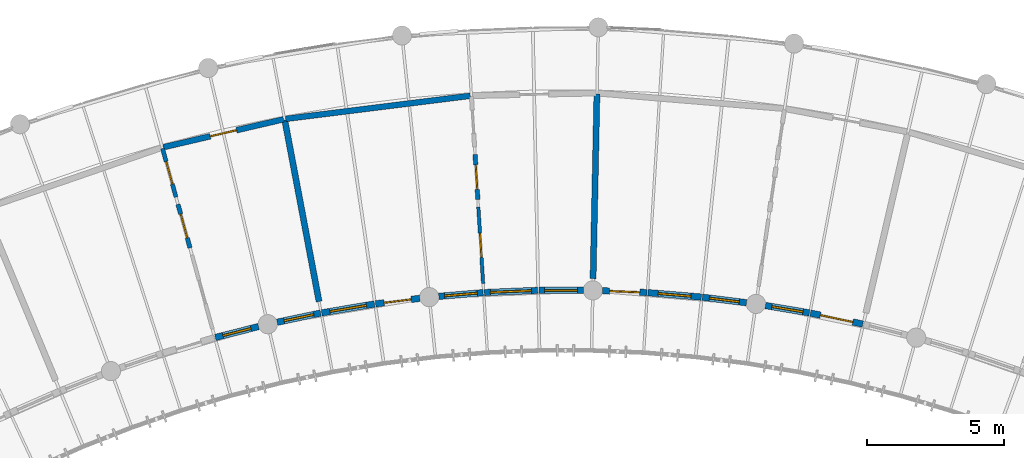
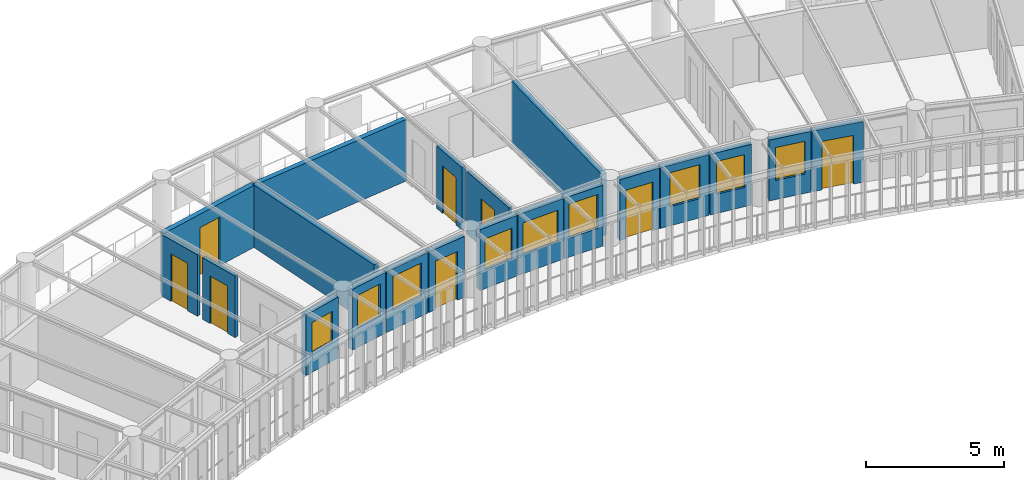
# One storey, part 93 of 123: 20 walls, 9 windows, 8 doors, 17 openings.
"""IFC4 building model written with IfcOpenShell, lengths in metres."""

from ifc_helpers import new_model, si_unit, direction, frame, frame_2d, origin, place, context, subcontext, project, spatial, rectangle, extrude, material, layer, layer_set, type_object, element, fill, save


model = new_model("IFC4")

# Units and contexts
model_context = context("Model", 3, precision=1e-05, world=origin(), true_north=direction((0.0, 1.0)))
body_context = subcontext(model_context, "Body", "Model", "MODEL_VIEW")
ifc_project = project(units=[si_unit("LENGTHUNIT", "METRE"), si_unit("AREAUNIT", "SQUARE_METRE"), si_unit("VOLUMEUNIT", "CUBIC_METRE"), si_unit("PLANEANGLEUNIT", "RADIAN"), si_unit("MASSUNIT", "GRAM", prefix="KILO"), si_unit("POWERUNIT", "WATT"), si_unit("THERMODYNAMICTEMPERATUREUNIT", "KELVIN")], contexts=[model_context])

# Site, building, storey
site_placement = place(None, origin())
site = spatial("IfcSite", under=ifc_project, at=site_placement, CompositionType="ELEMENT")
building_placement = place(site_placement, origin())
building = spatial("IfcBuilding", under=site, at=building_placement, Name="Ruvembo Vaulted Housing Court", CompositionType="ELEMENT")
storey_placement = place(building_placement, frame((0.0, 0.0, 7.699951171875)))
storey = spatial("IfcBuildingStorey", under=building, at=storey_placement, Name="L02", CompositionType="ELEMENT", Elevation=7.699951171875)

# Wall, opening, door
ifc_material_1 = material(Name="Concrete Blockwork 210", Category="masonry")
ifc_layer_1 = layer(ifc_material_1, 0.2099609375, Name="Concrete Blockwork 210")
ifc_layer_set_1 = layer_set([ifc_layer_1], Name="Concrete Blockwork 210")
wall_type_1 = type_object("IfcWallType", Name="WL-CORR-210", PredefinedType="SOLIDWALL", material=ifc_layer_set_1)
wall_1_placement = place(storey_placement, frame((102.324951171875, 103.2119140625, 0.0), z_axis=(0.0, 0.0, 1.0), x_axis=(0.974052809246, 0.226320844821, 0.0)))
wall_1 = element("IfcWall", 1, at=wall_1_placement, inside=storey, type_object=wall_type_1, Name="L02 Suite SC3-L02-U2 Entrance WL-INT-L02-00747", PredefinedType="SOLIDWALL", context=body_context, shape_type="SweptSolid", body=[
    extrude(rectangle(XDim=4.50146484375, YDim=0.2099609375, at=frame_2d((2.250732421875, 0.0))), origin(), (0.0, 0.0, 1.0), 2.741943359375),
])
opening_1_placement = place(wall_1_placement, frame((1.7607421875, 0.0, 0.0)))
opening_1 = element("IfcOpeningElement", 2, at=opening_1_placement, cuts=wall_1, Name="Opening FD2", PredefinedType="OPENING", context=body_context, shape_type="SweptSolid", body=[
    extrude(rectangle(XDim=0.97998046875, YDim=2.14990234375, at=frame_2d((0.489990234375, 1.074951171875))), frame((0.0, 0.114990234375, 0.0), z_axis=(0.0, -1.0, 0.0), x_axis=(1.0, 0.0, 0.0)), (0.0, 0.0, 1.0), 0.22998046875),
])
ifc_material_2 = material(Name="FSC Hardwood and Engineered Timber", Category="wood")
door_type_1 = type_object("IfcDoorType", Name="DR-FLAT-0980x2150", OperationType="NOTDEFINED", PredefinedType="DOOR", material=ifc_material_2)
door_1_placement = place(opening_1_placement, origin())
door_1 = element("IfcDoor", 3, at=door_1_placement, inside=storey, type_object=door_type_1, Name="L02 Suite SC3-L02-U2 Entrance Door DR-INT-L02-00412", OperationType="SINGLE_SWING_RIGHT", OverallHeight=2.14990234375, OverallWidth=0.97998046875, PredefinedType="DOOR", context=body_context, shape_type="SweptSolid", body=[
    extrude(rectangle(XDim=0.97998046875, YDim=2.14990234375, at=frame_2d((0.489990234375, 1.074951171875))), frame((0.0, 0.02490234375, 0.0), z_axis=(0.0, -1.0, 0.0), x_axis=(1.0, 0.0, 0.0)), (0.0, 0.0, 1.0), 0.050048828125),
])
fill(opening_1, door_1)

# Walls
wall_2_placement = place(storey_placement, frame((106.788330078125, 104.244873046875, 0.0), z_axis=(0.0, 0.0, 1.0), x_axis=(0.992257394877, 0.124198479504, 0.0)))
element("IfcWall", 4, at=wall_2_placement, inside=storey, type_object=wall_type_1, Name="L02 Suite SC3-L02-U3 Gallery Wall WL-INT-L02-00752", PredefinedType="SOLIDWALL", context=body_context, shape_type="SweptSolid", body=[
    extrude(rectangle(XDim=6.78955078125, YDim=0.2099609375, at=frame_2d((3.394775390625, 0.0))), origin(), (0.0, 0.0, 1.0), 2.72216796875),
])
ifc_material_3 = material(Name="Acoustic Masonry Demising 220", Category="masonry")
ifc_layer_2 = layer(ifc_material_3, 0.219970703125, Name="Acoustic Masonry Demising 220")
ifc_layer_set_2 = layer_set([ifc_layer_2], Name="Acoustic Masonry Demising 220")
wall_type_2 = type_object("IfcWallType", Name="WL-DEM-200", PredefinedType="SOLIDWALL", material=ifc_layer_set_2)
wall_3_placement = place(storey_placement, frame((108.007080078125, 97.58154296875, 0.0), z_axis=(0.0, 0.0, 1.0), x_axis=(-0.185712925624, 0.982604045003, 0.0)))
element("IfcWall", 5, at=wall_3_placement, inside=storey, type_object=wall_type_2, Name="L02 Suite SC3-L02-U2 Demising WL-INT-L02-00751", PredefinedType="SOLIDWALL", context=body_context, shape_type="SweptSolid", body=[
    extrude(rectangle(XDim=6.736083984375, YDim=0.219970703125, at=frame_2d((3.3681640625, 0.0))), origin(), (0.0, 0.0, 1.0), 2.761962890625),
])
wall_4_placement = place(storey_placement, frame((118.0048828125, 98.41357421875, 0.0), z_axis=(0.0, 0.0, 1.0), x_axis=(0.020767678819, 0.999784328501, 0.0)))
element("IfcWall", 6, at=wall_4_placement, inside=storey, type_object=wall_type_2, Name="L02 Suite SC3-L02-U3 Demising WL-INT-L02-00757", PredefinedType="SOLIDWALL", context=body_context, shape_type="SweptSolid", body=[
    extrude(rectangle(XDim=6.736083984375, YDim=0.219970703125, at=frame_2d((3.3681640625, 0.0))), origin(), (0.0, 0.0, 1.0), 2.741943359375),
])

# Wall, opening, window
ifc_material_4 = material(Name="Rendered Masonry 235", Category="masonry")
ifc_layer_3 = layer(ifc_material_4, 0.235107421875, Name="Rendered Masonry 235")
ifc_layer_set_3 = layer_set([ifc_layer_3], Name="Rendered Masonry 235")
wall_type_3 = type_object("IfcWallType", Name="WL-EXT-235", PredefinedType="STANDARD", material=ifc_layer_set_3)
wall_5_placement = place(storey_placement, frame((104.224609375, 96.268310546875, 0.0), z_axis=(0.0, 0.0, 1.0), x_axis=(0.969152085663, 0.246463455413, 0.0)))
wall_5 = element("IfcWall", 7, at=wall_5_placement, inside=storey, type_object=wall_type_3, Name="Scoop SC3 L02 Concave Balcony Wall 8", PredefinedType="STANDARD", context=body_context, shape_type="SweptSolid", body=[
    extrude(rectangle(XDim=1.62255859375, YDim=0.235107421875, at=frame_2d((0.811279296875, 0.0))), origin(), (0.0, 0.0, 1.0), 2.68408203125),
])
opening_2_placement = place(wall_5_placement, frame((0.2861328125, 0.0, 0.85009765625)))
opening_2 = element("IfcOpeningElement", 8, at=opening_2_placement, cuts=wall_5, Name="Opening W09", PredefinedType="OPENING", context=body_context, shape_type="SweptSolid", body=[
    extrude(rectangle(XDim=1.050048828125, YDim=1.35009765625, at=frame_2d((0.52490234375, 0.675048828125))), frame((0.0, 0.12744140625, 0.0), z_axis=(0.0, -1.0, 0.0), x_axis=(1.0, 0.0, 0.0)), (0.0, 0.0, 1.0), 0.255126953125),
])
ifc_material_5 = material(Name="Double Solar-Control Glazing in Aluminium Frame", Category="aluminium")
window_type_1 = type_object("IfcWindowType", Name="WIN-1050x1350", PartitioningType="SINGLE_PANEL", PredefinedType="WINDOW", material=ifc_material_5)
window_1_placement = place(opening_2_placement, origin())
window_1 = element("IfcWindow", 9, at=window_1_placement, inside=storey, type_object=window_type_1, Name="Scoop SC3 L02 Concave Window 8", OverallHeight=1.35009765625, OverallWidth=1.050048828125, PartitioningType="SINGLE_PANEL", PredefinedType="WINDOW", context=body_context, shape_type="SweptSolid", body=[
    extrude(rectangle(XDim=1.050048828125, YDim=1.35009765625, at=frame_2d((0.52490234375, 0.675048828125))), frame((0.0, 0.030029296875, 0.0), z_axis=(0.0, -1.0, 0.0), x_axis=(1.0, 0.0, 0.0)), (0.0, 0.0, 1.0), 0.06005859375),
])
fill(opening_2, window_1)

wall_6_placement = place(storey_placement, frame((106.478759765625, 96.826416015625, 0.0), z_axis=(0.0, 0.0, 1.0), x_axis=(0.978514642092, 0.206177339229, 0.0)))
wall_6 = element("IfcWall", 10, at=wall_6_placement, inside=storey, type_object=wall_type_3, Name="Scoop SC3 L02 Concave Balcony Wall 9", PredefinedType="STANDARD", context=body_context, shape_type="SweptSolid", body=[
    extrude(rectangle(XDim=1.622314453125, YDim=0.235107421875, at=frame_2d((0.81103515625, 0.0))), origin(), (0.0, 0.0, 1.0), 2.68408203125),
])
opening_3_placement = place(wall_6_placement, frame((0.26123046875, 0.0, 0.85009765625)))
opening_3 = element("IfcOpeningElement", 11, at=opening_3_placement, cuts=wall_6, Name="Opening W10", PredefinedType="OPENING", context=body_context, shape_type="SweptSolid", body=[
    extrude(rectangle(XDim=1.10009765625, YDim=1.449951171875, at=frame_2d((0.550048828125, 0.72509765625))), frame((0.0, 0.12744140625, 0.0), z_axis=(0.0, -1.0, 0.0), x_axis=(1.0, 0.0, 0.0)), (0.0, 0.0, 1.0), 0.255126953125),
])
window_type_2 = type_object("IfcWindowType", Name="WIN-1100x1450", PartitioningType="SINGLE_PANEL", PredefinedType="WINDOW", material=ifc_material_5)
window_2_placement = place(opening_3_placement, origin())
window_2 = element("IfcWindow", 12, at=window_2_placement, inside=storey, type_object=window_type_2, Name="Scoop SC3 L02 Concave Window 9", OverallHeight=1.449951171875, OverallWidth=1.10009765625, PartitioningType="SINGLE_PANEL", PredefinedType="WINDOW", context=body_context, shape_type="SweptSolid", body=[
    extrude(rectangle(XDim=1.10009765625, YDim=1.449951171875, at=frame_2d((0.550048828125, 0.72509765625))), frame((0.0, 0.030029296875, 0.0), z_axis=(0.0, -1.0, 0.0), x_axis=(1.0, 0.0, 0.0)), (0.0, 0.0, 1.0), 0.06005859375),
])
fill(opening_3, window_2)

wall_7_placement = place(storey_placement, frame((108.10546875, 97.168212890625, 0.0), z_axis=(0.0, 0.0, 1.0), x_axis=(0.986241418229, 0.165311418144, 0.0)))
wall_7 = element("IfcWall", 13, at=wall_7_placement, inside=storey, type_object=wall_type_3, Name="Scoop SC3 L02 Concave Balcony Wall 10", PredefinedType="STANDARD", context=body_context, shape_type="SweptSolid", body=[
    extrude(rectangle(XDim=1.952392578125, YDim=0.235107421875, at=frame_2d((0.97607421875, 0.0))), origin(), (0.0, 0.0, 1.0), 2.68408203125),
])
opening_4_placement = place(wall_7_placement, frame((0.30126953125, 0.0, 0.85009765625)))
opening_4 = element("IfcOpeningElement", 14, at=opening_4_placement, cuts=wall_7, Name="Opening W16", PredefinedType="OPENING", context=body_context, shape_type="SweptSolid", body=[
    extrude(rectangle(XDim=1.35009765625, YDim=1.5, at=frame_2d((0.675048828125, 0.75))), frame((0.0, 0.12744140625, 0.0), z_axis=(0.0, -1.0, 0.0), x_axis=(1.0, 0.0, 0.0)), (0.0, 0.0, 1.0), 0.255126953125),
])
window_type_3 = type_object("IfcWindowType", Name="WIN-1350x1500", PartitioningType="SINGLE_PANEL", PredefinedType="WINDOW", material=ifc_material_5)
window_3_placement = place(opening_4_placement, origin())
window_3 = element("IfcWindow", 15, at=window_3_placement, inside=storey, type_object=window_type_3, Name="Scoop SC3 L02 Concave Window 10", OverallHeight=1.5, OverallWidth=1.35009765625, PartitioningType="SINGLE_PANEL", PredefinedType="WINDOW", context=body_context, shape_type="SweptSolid", body=[
    extrude(rectangle(XDim=1.35009765625, YDim=1.5, at=frame_2d((0.675048828125, 0.75))), frame((0.0, 0.030029296875, 0.0), z_axis=(0.0, -1.0, 0.0), x_axis=(1.0, 0.0, 0.0)), (0.0, 0.0, 1.0), 0.06005859375),
])
fill(opening_4, window_3)

# Wall, opening, door
wall_8_placement = place(storey_placement, frame((110.070556640625, 97.496826171875, 0.0), z_axis=(0.0, 0.0, 1.0), x_axis=(0.992263980046, 0.124145857376, 0.0)))
wall_8 = element("IfcWall", 16, at=wall_8_placement, inside=storey, type_object=wall_type_3, Name="Scoop SC3 L02 Concave Balcony Wall 11", PredefinedType="STANDARD", context=body_context, shape_type="SweptSolid", body=[
    extrude(rectangle(XDim=1.622314453125, YDim=0.235107421875, at=frame_2d((0.81103515625, 0.0))), origin(), (0.0, 0.0, 1.0), 2.68408203125),
])
opening_5_placement = place(wall_8_placement, frame((0.311279296875, 0.0, 0.0)))
opening_5 = element("IfcOpeningElement", 17, at=opening_5_placement, cuts=wall_8, Name="Opening BD1", PredefinedType="OPENING", context=body_context, shape_type="SweptSolid", body=[
    extrude(rectangle(XDim=1.0, YDim=2.14990234375, at=frame_2d((0.5, 1.074951171875))), frame((0.0, 0.12744140625, 0.0), z_axis=(0.0, -1.0, 0.0), x_axis=(1.0, 0.0, 0.0)), (0.0, 0.0, 1.0), 0.255126953125),
])
ifc_material_6 = material(Name="Thermally Broken Glazed Aluminium", Category="aluminium")
door_type_2 = type_object("IfcDoorType", Name="DR-BAL-1000x2150", OperationType="NOTDEFINED", PredefinedType="DOOR", material=ifc_material_6)
door_2_placement = place(opening_5_placement, frame((1.0, 0.0, 0.0), z_axis=(0.0, 0.0, 1.0), x_axis=(-1.0, 0.0, 0.0)))
door_2 = element("IfcDoor", 18, at=door_2_placement, inside=storey, type_object=door_type_2, Name="Scoop SC3 L02 Balcony Door 11", OperationType="SINGLE_SWING_RIGHT", OverallHeight=2.14990234375, OverallWidth=1.0, PredefinedType="DOOR", context=body_context, shape_type="SweptSolid", body=[
    extrude(rectangle(XDim=1.0, YDim=2.14990234375, at=frame_2d((0.5, 1.074951171875))), frame((0.0, 0.02490234375, 0.0), z_axis=(0.0, -1.0, 0.0), x_axis=(1.0, 0.0, 0.0)), (0.0, 0.0, 1.0), 0.050048828125),
])
fill(opening_5, door_2)

# Wall, opening, window
wall_9_placement = place(storey_placement, frame((112.37646484375, 97.770751953125, 0.0), z_axis=(0.0, 0.0, 1.0), x_axis=(0.996557163732, 0.082908500259, 0.0)))
wall_9 = element("IfcWall", 19, at=wall_9_placement, inside=storey, type_object=wall_type_3, Name="Scoop SC3 L02 Concave Balcony Wall 12", PredefinedType="STANDARD", context=body_context, shape_type="SweptSolid", body=[
    extrude(rectangle(XDim=1.62255859375, YDim=0.235107421875, at=frame_2d((0.811279296875, 0.0))), origin(), (0.0, 0.0, 1.0), 2.68408203125),
])
opening_6_placement = place(wall_9_placement, frame((0.211181640625, 0.0, 0.85009765625)))
opening_6 = element("IfcOpeningElement", 20, at=opening_6_placement, cuts=wall_9, Name="Opening W12", PredefinedType="OPENING", context=body_context, shape_type="SweptSolid", body=[
    extrude(rectangle(XDim=1.199951171875, YDim=1.35009765625, at=frame_2d((0.60009765625, 0.675048828125))), frame((0.0, 0.12744140625, 0.0), z_axis=(0.0, -1.0, 0.0), x_axis=(1.0, 0.0, 0.0)), (0.0, 0.0, 1.0), 0.255126953125),
])
window_type_4 = type_object("IfcWindowType", Name="WIN-1200x1350", PartitioningType="SINGLE_PANEL", PredefinedType="WINDOW", material=ifc_material_5)
window_4_placement = place(opening_6_placement, origin())
window_4 = element("IfcWindow", 21, at=window_4_placement, inside=storey, type_object=window_type_4, Name="Scoop SC3 L02 Concave Window 12", OverallHeight=1.35009765625, OverallWidth=1.199951171875, PartitioningType="SINGLE_PANEL", PredefinedType="WINDOW", context=body_context, shape_type="SweptSolid", body=[
    extrude(rectangle(XDim=1.199951171875, YDim=1.35009765625, at=frame_2d((0.60009765625, 0.675048828125))), frame((0.0, 0.030029296875, 0.0), z_axis=(0.0, -1.0, 0.0), x_axis=(1.0, 0.0, 0.0)), (0.0, 0.0, 1.0), 0.06005859375),
])
fill(opening_6, window_4)

wall_10_placement = place(storey_placement, frame((114.033203125, 97.90771484375, 0.0), z_axis=(0.0, 0.0, 1.0), x_axis=(0.999132639597, 0.041640947307, 0.0)))
wall_10 = element("IfcWall", 22, at=wall_10_placement, inside=storey, type_object=wall_type_3, Name="Scoop SC3 L02 Concave Balcony Wall 13", PredefinedType="STANDARD", context=body_context, shape_type="SweptSolid", body=[
    extrude(rectangle(XDim=1.952392578125, YDim=0.235107421875, at=frame_2d((0.97607421875, 0.0))), origin(), (0.0, 0.0, 1.0), 2.68408203125),
])
opening_7_placement = place(wall_10_placement, frame((0.22607421875, 0.0, 0.85009765625)))
opening_7 = element("IfcOpeningElement", 23, at=opening_7_placement, cuts=wall_10, Name="Opening W18", PredefinedType="OPENING", context=body_context, shape_type="SweptSolid", body=[
    extrude(rectangle(XDim=1.5, YDim=1.39990234375, at=frame_2d((0.75, 0.699951171875))), frame((0.0, 0.12744140625, 0.0), z_axis=(0.0, -1.0, 0.0), x_axis=(1.0, 0.0, 0.0)), (0.0, 0.0, 1.0), 0.255126953125),
])
window_type_5 = type_object("IfcWindowType", Name="WIN-1500x1400", PartitioningType="SINGLE_PANEL", PredefinedType="WINDOW", material=ifc_material_5)
window_5_placement = place(opening_7_placement, origin())
window_5 = element("IfcWindow", 24, at=window_5_placement, inside=storey, type_object=window_type_5, Name="Scoop SC3 L02 Concave Window 13", OverallHeight=1.39990234375, OverallWidth=1.5, PartitioningType="SINGLE_PANEL", PredefinedType="WINDOW", context=body_context, shape_type="SweptSolid", body=[
    extrude(rectangle(XDim=1.5, YDim=1.39990234375, at=frame_2d((0.75, 0.699951171875))), frame((0.0, 0.030029296875, 0.0), z_axis=(0.0, -1.0, 0.0), x_axis=(1.0, 0.0, 0.0)), (0.0, 0.0, 1.0), 0.06005859375),
])
fill(opening_7, window_5)

wall_11_placement = place(storey_placement, frame((116.023681640625, 97.98974609375, 0.0), z_axis=(0.0, 0.0, 1.0), x_axis=(1.0, 0.0, 0.0)))
wall_11 = element("IfcWall", 25, at=wall_11_placement, inside=storey, type_object=wall_type_3, Name="Scoop SC3 L02 Concave Balcony Wall 14", PredefinedType="STANDARD", context=body_context, shape_type="SweptSolid", body=[
    extrude(rectangle(XDim=1.62255859375, YDim=0.235107421875, at=frame_2d((0.811279296875, 0.0))), origin(), (0.0, 0.0, 1.0), 2.68408203125),
])
opening_8_placement = place(wall_11_placement, frame((0.211181640625, 0.0, 0.85009765625)))
opening_8 = element("IfcOpeningElement", 26, at=opening_8_placement, cuts=wall_11, Name="Opening W14", PredefinedType="OPENING", context=body_context, shape_type="SweptSolid", body=[
    extrude(rectangle(XDim=1.199951171875, YDim=1.5, at=frame_2d((0.60009765625, 0.75))), frame((0.0, 0.12744140625, 0.0), z_axis=(0.0, -1.0, 0.0), x_axis=(1.0, 0.0, 0.0)), (0.0, 0.0, 1.0), 0.255126953125),
])
window_type_6 = type_object("IfcWindowType", Name="WIN-1200x1500", PartitioningType="SINGLE_PANEL", PredefinedType="WINDOW", material=ifc_material_5)
window_6_placement = place(opening_8_placement, origin())
window_6 = element("IfcWindow", 27, at=window_6_placement, inside=storey, type_object=window_type_6, Name="Scoop SC3 L02 Concave Window 14", OverallHeight=1.5, OverallWidth=1.199951171875, PartitioningType="SINGLE_PANEL", PredefinedType="WINDOW", context=body_context, shape_type="SweptSolid", body=[
    extrude(rectangle(XDim=1.199951171875, YDim=1.5, at=frame_2d((0.60009765625, 0.75))), frame((0.0, 0.030029296875, 0.0), z_axis=(0.0, -1.0, 0.0), x_axis=(1.0, 0.0, 0.0)), (0.0, 0.0, 1.0), 0.06005859375),
])
fill(opening_8, window_6)

# Wall, opening, door
wall_12_placement = place(storey_placement, frame((118.345947265625, 97.97509765625, 0.0), z_axis=(0.0, 0.0, 1.0), x_axis=(0.999136981031, -0.041536648104, 0.0)))
wall_12 = element("IfcWall", 28, at=wall_12_placement, inside=storey, type_object=wall_type_3, Name="Scoop SC3 L02 Concave Balcony Wall 15", PredefinedType="STANDARD", context=body_context, shape_type="SweptSolid", body=[
    extrude(rectangle(XDim=1.622314453125, YDim=0.235107421875, at=frame_2d((0.81103515625, 0.0))), origin(), (0.0, 0.0, 1.0), 2.68408203125),
])
opening_9_placement = place(wall_12_placement, frame((0.26123046875, 0.0, 0.0)))
opening_9 = element("IfcOpeningElement", 29, at=opening_9_placement, cuts=wall_12, Name="Opening BD3", PredefinedType="OPENING", context=body_context, shape_type="SweptSolid", body=[
    extrude(rectangle(XDim=1.10009765625, YDim=2.14990234375, at=frame_2d((0.550048828125, 1.074951171875))), frame((0.0, 0.12744140625, 0.0), z_axis=(0.0, -1.0, 0.0), x_axis=(1.0, 0.0, 0.0)), (0.0, 0.0, 1.0), 0.255126953125),
])
door_type_3 = type_object("IfcDoorType", Name="DR-BAL-1100x2150", OperationType="NOTDEFINED", PredefinedType="DOOR", material=ifc_material_6)
door_3_placement = place(opening_9_placement, frame((1.10009765625, 0.0, 0.0), z_axis=(0.0, 0.0, 1.0), x_axis=(-1.0, 0.0, 0.0)))
door_3 = element("IfcDoor", 30, at=door_3_placement, inside=storey, type_object=door_type_3, Name="Scoop SC3 L02 Balcony Door 15", OperationType="SINGLE_SWING_LEFT", OverallHeight=2.14990234375, OverallWidth=1.10009765625, PredefinedType="DOOR", context=body_context, shape_type="SweptSolid", body=[
    extrude(rectangle(XDim=1.10009765625, YDim=2.14990234375, at=frame_2d((0.550048828125, 1.074951171875))), frame((0.0, 0.02490234375, 0.0), z_axis=(0.0, -1.0, 0.0), x_axis=(1.0, 0.0, 0.0)), (0.0, 0.0, 1.0), 0.050048828125),
])
fill(opening_9, door_3)

# Wall, opening, window
wall_13_placement = place(storey_placement, frame((120.006591796875, 97.9052734375, 0.0), z_axis=(0.0, 0.0, 1.0), x_axis=(0.996557820409, -0.082900606641, 0.0)))
wall_13 = element("IfcWall", 31, at=wall_13_placement, inside=storey, type_object=wall_type_3, Name="Scoop SC3 L02 Concave Balcony Wall 16", PredefinedType="STANDARD", context=body_context, shape_type="SweptSolid", body=[
    extrude(rectangle(XDim=1.95263671875, YDim=0.235107421875, at=frame_2d((0.976318359375, 0.0))), origin(), (0.0, 0.0, 1.0), 2.68408203125),
])
opening_10_placement = place(wall_13_placement, frame((0.376220703125, 0.0, 0.85009765625)))
opening_10 = element("IfcOpeningElement", 32, at=opening_10_placement, cuts=wall_13, Name="Opening W14", PredefinedType="OPENING", context=body_context, shape_type="SweptSolid", body=[
    extrude(rectangle(XDim=1.199951171875, YDim=1.5, at=frame_2d((0.60009765625, 0.75))), frame((0.0, 0.12744140625, 0.0), z_axis=(0.0, -1.0, 0.0), x_axis=(1.0, 0.0, 0.0)), (0.0, 0.0, 1.0), 0.255126953125),
])
window_7_placement = place(opening_10_placement, origin())
window_7 = element("IfcWindow", 33, at=window_7_placement, inside=storey, type_object=window_type_6, Name="Scoop SC3 L02 Concave Window 16", OverallHeight=1.5, OverallWidth=1.199951171875, PartitioningType="SINGLE_PANEL", PredefinedType="WINDOW", context=body_context, shape_type="SweptSolid", body=[
    extrude(rectangle(XDim=1.199951171875, YDim=1.5, at=frame_2d((0.60009765625, 0.75))), frame((0.0, 0.030029296875, 0.0), z_axis=(0.0, -1.0, 0.0), x_axis=(1.0, 0.0, 0.0)), (0.0, 0.0, 1.0), 0.06005859375),
])
fill(opening_10, window_7)

wall_14_placement = place(storey_placement, frame((121.9921875, 97.7392578125, 0.0), z_axis=(0.0, 0.0, 1.0), x_axis=(0.992263980046, -0.124145857376, 0.0)))
wall_14 = element("IfcWall", 34, at=wall_14_placement, inside=storey, type_object=wall_type_3, Name="Scoop SC3 L02 Concave Balcony Wall 17", PredefinedType="STANDARD", context=body_context, shape_type="SweptSolid", body=[
    extrude(rectangle(XDim=1.622314453125, YDim=0.235107421875, at=frame_2d((0.81103515625, 0.0))), origin(), (0.0, 0.0, 1.0), 2.68408203125),
])
opening_11_placement = place(wall_14_placement, frame((0.26123046875, 0.0, 0.85009765625)))
opening_11 = element("IfcOpeningElement", 35, at=opening_11_placement, cuts=wall_14, Name="Opening W10", PredefinedType="OPENING", context=body_context, shape_type="SweptSolid", body=[
    extrude(rectangle(XDim=1.10009765625, YDim=1.449951171875, at=frame_2d((0.550048828125, 0.72509765625))), frame((0.0, 0.12744140625, 0.0), z_axis=(0.0, -1.0, 0.0), x_axis=(1.0, 0.0, 0.0)), (0.0, 0.0, 1.0), 0.255126953125),
])
window_8_placement = place(opening_11_placement, origin())
window_8 = element("IfcWindow", 36, at=window_8_placement, inside=storey, type_object=window_type_2, Name="Scoop SC3 L02 Concave Window 17", OverallHeight=1.449951171875, OverallWidth=1.10009765625, PartitioningType="SINGLE_PANEL", PredefinedType="WINDOW", context=body_context, shape_type="SweptSolid", body=[
    extrude(rectangle(XDim=1.10009765625, YDim=1.449951171875, at=frame_2d((0.550048828125, 0.72509765625))), frame((0.0, 0.030029296875, 0.0), z_axis=(0.0, -1.0, 0.0), x_axis=(1.0, 0.0, 0.0)), (0.0, 0.0, 1.0), 0.06005859375),
])
fill(opening_11, window_8)

wall_15_placement = place(storey_placement, frame((124.29443359375, 97.436279296875, 0.0), z_axis=(0.0, 0.0, 1.0), x_axis=(0.986255294666, -0.16522861055, 0.0)))
wall_15 = element("IfcWall", 37, at=wall_15_placement, inside=storey, type_object=wall_type_3, Name="Scoop SC3 L02 Concave Balcony Wall 18", PredefinedType="STANDARD", context=body_context, shape_type="SweptSolid", body=[
    extrude(rectangle(XDim=1.622314453125, YDim=0.235107421875, at=frame_2d((0.81103515625, 0.0))), origin(), (0.0, 0.0, 1.0), 2.68408203125),
])
opening_12_placement = place(wall_15_placement, frame((0.236083984375, 0.0, 0.85009765625)))
opening_12 = element("IfcOpeningElement", 38, at=opening_12_placement, cuts=wall_15, Name="Opening W11", PredefinedType="OPENING", context=body_context, shape_type="SweptSolid", body=[
    extrude(rectangle(XDim=1.14990234375, YDim=1.449951171875, at=frame_2d((0.574951171875, 0.72509765625))), frame((0.0, 0.12744140625, 0.0), z_axis=(0.0, -1.0, 0.0), x_axis=(1.0, 0.0, 0.0)), (0.0, 0.0, 1.0), 0.255126953125),
])
window_type_7 = type_object("IfcWindowType", Name="WIN-1150x1450", PartitioningType="SINGLE_PANEL", PredefinedType="WINDOW", material=ifc_material_5)
window_9_placement = place(opening_12_placement, origin())
window_9 = element("IfcWindow", 39, at=window_9_placement, inside=storey, type_object=window_type_7, Name="Scoop SC3 L02 Concave Window 18", OverallHeight=1.449951171875, OverallWidth=1.14990234375, PartitioningType="SINGLE_PANEL", PredefinedType="WINDOW", context=body_context, shape_type="SweptSolid", body=[
    extrude(rectangle(XDim=1.14990234375, YDim=1.449951171875, at=frame_2d((0.574951171875, 0.72509765625))), frame((0.0, 0.030029296875, 0.0), z_axis=(0.0, -1.0, 0.0), x_axis=(1.0, 0.0, 0.0)), (0.0, 0.0, 1.0), 0.06005859375),
])
fill(opening_12, window_9)

# Wall, opening, door
wall_16_placement = place(storey_placement, frame((125.933837890625, 97.160888671875, 0.0), z_axis=(0.0, 0.0, 1.0), x_axis=(0.978533860292, -0.206086108851, 0.0)))
wall_16 = element("IfcWall", 40, at=wall_16_placement, inside=storey, type_object=wall_type_3, Name="Scoop SC3 L02 Concave Balcony Wall 19", PredefinedType="STANDARD", context=body_context, shape_type="SweptSolid", body=[
    extrude(rectangle(XDim=1.952392578125, YDim=0.235107421875, at=frame_2d((0.97607421875, 0.0))), origin(), (0.0, 0.0, 1.0), 2.68408203125),
])
opening_13_placement = place(wall_16_placement, frame((0.376220703125, 0.0, 0.0)))
opening_13 = element("IfcOpeningElement", 41, at=opening_13_placement, cuts=wall_16, Name="Opening BD2", PredefinedType="OPENING", context=body_context, shape_type="SweptSolid", body=[
    extrude(rectangle(XDim=1.199951171875, YDim=2.14990234375, at=frame_2d((0.60009765625, 1.074951171875))), frame((0.0, 0.12744140625, 0.0), z_axis=(0.0, -1.0, 0.0), x_axis=(1.0, 0.0, 0.0)), (0.0, 0.0, 1.0), 0.255126953125),
])
door_type_4 = type_object("IfcDoorType", Name="DR-BAL-1200x2150", OperationType="NOTDEFINED", PredefinedType="DOOR", material=ifc_material_6)
door_4_placement = place(opening_13_placement, frame((1.199951171875, 0.0, 0.0), z_axis=(0.0, 0.0, 1.0), x_axis=(-1.0, 0.0, 0.0)))
door_4 = element("IfcDoor", 42, at=door_4_placement, inside=storey, type_object=door_type_4, Name="Scoop SC3 L02 Balcony Door 19", OperationType="SINGLE_SWING_RIGHT", OverallHeight=2.14990234375, OverallWidth=1.199951171875, PredefinedType="DOOR", context=body_context, shape_type="SweptSolid", body=[
    extrude(rectangle(XDim=1.199951171875, YDim=2.14990234375, at=frame_2d((0.60009765625, 1.074951171875))), frame((0.0, 0.02490234375, 0.0), z_axis=(0.0, -1.0, 0.0), x_axis=(1.0, 0.0, 0.0)), (0.0, 0.0, 1.0), 0.050048828125),
])
fill(opening_13, door_4)

ifc_material_7 = material(Name="Plasterboard Stud Partition 125", Category="gypsum")
ifc_layer_4 = layer(ifc_material_7, 0.125, Name="Plasterboard Stud Partition 125")
ifc_layer_set_4 = layer_set([ifc_layer_4], Name="Plasterboard Stud Partition 125")
wall_type_4 = type_object("IfcWallType", Name="WL-PART-125", PredefinedType="PARTITIONING", material=ifc_layer_set_4)
wall_17_placement = place(storey_placement, frame((113.992919921875, 98.234375, 0.0), z_axis=(0.0, 0.0, 1.0), x_axis=(-0.062253438174, 0.998060373643, 0.0)))
wall_17 = element("IfcWall", 43, at=wall_17_placement, inside=storey, type_object=wall_type_4, Name="L02 Suite SC3-L02-U3 Bedroom WL-INT-L02-00754", PredefinedType="PARTITIONING", context=body_context, shape_type="SweptSolid", body=[
    extrude(rectangle(XDim=2.800048828125, YDim=0.125, at=frame_2d((1.39990234375, 0.0))), origin(), (0.0, 0.0, 1.0), 2.761962890625),
])
opening_14_placement = place(wall_17_placement, frame((0.960205078125, 0.0, 0.0)))
opening_14 = element("IfcOpeningElement", 44, at=opening_14_placement, cuts=wall_17, Name="Opening ID3", PredefinedType="OPENING", context=body_context, shape_type="SweptSolid", body=[
    extrude(rectangle(XDim=0.8798828125, YDim=2.10009765625, at=frame_2d((0.43994140625, 1.050048828125))), frame((0.0, 0.072509765625, 0.0), z_axis=(0.0, -1.0, 0.0), x_axis=(1.0, 0.0, 0.0)), (0.0, 0.0, 1.0), 0.14501953125),
])
door_type_5 = type_object("IfcDoorType", Name="DR-ROOM-0880x2100", OperationType="NOTDEFINED", PredefinedType="DOOR", material=ifc_material_2)
door_5_placement = place(opening_14_placement, origin())
door_5 = element("IfcDoor", 45, at=door_5_placement, inside=storey, type_object=door_type_5, Name="L02 Suite SC3-L02-U3 Bedroom Door DR-INT-L02-00417", OperationType="SINGLE_SWING_LEFT", OverallHeight=2.10009765625, OverallWidth=0.8798828125, PredefinedType="DOOR", context=body_context, shape_type="SweptSolid", body=[
    extrude(rectangle(XDim=0.8798828125, YDim=2.10009765625, at=frame_2d((0.43994140625, 1.050048828125))), frame((0.0, 0.02490234375, 0.0), z_axis=(0.0, -1.0, 0.0), x_axis=(1.0, 0.0, 0.0)), (0.0, 0.0, 1.0), 0.050048828125),
])
fill(opening_14, door_5)

ifc_material_8 = material(Name="Moisture-Resistant Wet Partition 150", Category="gypsum")
ifc_layer_5 = layer(ifc_material_8, 0.14990234375, Name="Moisture-Resistant Wet Partition 150")
ifc_layer_set_5 = layer_set([ifc_layer_5], Name="Moisture-Resistant Wet Partition 150")
wall_type_5 = type_object("IfcWallType", Name="WL-PART-150", PredefinedType="PARTITIONING", material=ifc_layer_set_5)
wall_18_placement = place(storey_placement, frame((102.787109375, 101.390869140625, 0.0), z_axis=(0.0, 0.0, 1.0), x_axis=(-0.266562452526, 0.963817648159, 0.0)))
wall_18 = element("IfcWall", 46, at=wall_18_placement, inside=storey, type_object=wall_type_5, Name="L02 Suite SC3-L02-U2 Bathroom WL-INT-L02-00750", PredefinedType="PARTITIONING", context=body_context, shape_type="SweptSolid", body=[
    extrude(rectangle(XDim=1.840087890625, YDim=0.14990234375, at=frame_2d((0.919921875, 0.0))), origin(), (0.0, 0.0, 1.0), 2.72216796875),
])
opening_15_placement = place(wall_18_placement, frame((0.494873046875, 0.0, 0.0)))
opening_15 = element("IfcOpeningElement", 47, at=opening_15_placement, cuts=wall_18, Name="Opening ID2", PredefinedType="OPENING", context=body_context, shape_type="SweptSolid", body=[
    extrude(rectangle(XDim=0.85009765625, YDim=2.10009765625, at=frame_2d((0.425048828125, 1.050048828125))), frame((0.0, 0.0849609375, 0.0), z_axis=(0.0, -1.0, 0.0), x_axis=(1.0, 0.0, 0.0)), (0.0, 0.0, 1.0), 0.169921875),
])
door_type_6 = type_object("IfcDoorType", Name="DR-WET-0850x2100", OperationType="NOTDEFINED", PredefinedType="DOOR", material=ifc_material_2)
door_6_placement = place(opening_15_placement, origin())
door_6 = element("IfcDoor", 48, at=door_6_placement, inside=storey, type_object=door_type_6, Name="L02 Suite SC3-L02-U2 Bathroom Door DR-INT-L02-00415", OperationType="SINGLE_SWING_LEFT", OverallHeight=2.10009765625, OverallWidth=0.85009765625, PredefinedType="DOOR", context=body_context, shape_type="SweptSolid", body=[
    extrude(rectangle(XDim=0.85009765625, YDim=2.10009765625, at=frame_2d((0.425048828125, 1.050048828125))), frame((0.0, 0.02490234375, 0.0), z_axis=(0.0, -1.0, 0.0), x_axis=(1.0, 0.0, 0.0)), (0.0, 0.0, 1.0), 0.050048828125),
])
fill(opening_15, door_6)

ifc_material_9 = material(Name="Acoustic Service Chase Wall 160", Category="gypsum")
ifc_layer_6 = layer(ifc_material_9, 0.159912109375, Name="Acoustic Service Chase Wall 160")
ifc_layer_set_6 = layer_set([ifc_layer_6], Name="Acoustic Service Chase Wall 160")
wall_type_6 = type_object("IfcWallType", Name="WL-PLUMB-160", PredefinedType="PLUMBINGWALL", material=ifc_layer_set_6)
wall_19_placement = place(storey_placement, frame((103.298828125, 99.540283203125, 0.0), z_axis=(0.0, 0.0, 1.0), x_axis=(-0.266512853444, 0.963831364373, 0.0)))
wall_19 = element("IfcWall", 49, at=wall_19_placement, inside=storey, type_object=wall_type_6, Name="L02 Suite SC3-L02-U2 Kitchen WL-INT-L02-00749", PredefinedType="PLUMBINGWALL", context=body_context, shape_type="SweptSolid", body=[
    extrude(rectangle(XDim=1.64794921875, YDim=0.159912109375, at=frame_2d((0.823974609375, 0.0))), origin(), (0.0, 0.0, 1.0), 2.72216796875),
])
opening_16_placement = place(wall_19_placement, frame((0.3740234375, 0.0, 0.0)))
opening_16 = element("IfcOpeningElement", 50, at=opening_16_placement, cuts=wall_19, Name="Opening ID1", PredefinedType="OPENING", context=body_context, shape_type="SweptSolid", body=[
    extrude(rectangle(XDim=0.89990234375, YDim=2.10009765625, at=frame_2d((0.449951171875, 1.050048828125))), frame((0.0, 0.08984375, 0.0), z_axis=(0.0, -1.0, 0.0), x_axis=(1.0, 0.0, 0.0)), (0.0, 0.0, 1.0), 0.179931640625),
])
door_type_7 = type_object("IfcDoorType", Name="DR-ROOM-0900x2100", OperationType="NOTDEFINED", PredefinedType="DOOR", material=ifc_material_2)
door_7_placement = place(opening_16_placement, origin())
door_7 = element("IfcDoor", 51, at=door_7_placement, inside=storey, type_object=door_type_7, Name="L02 Suite SC3-L02-U2 Kitchen Door DR-INT-L02-00414", OperationType="SINGLE_SWING_RIGHT", OverallHeight=2.10009765625, OverallWidth=0.89990234375, PredefinedType="DOOR", context=body_context, shape_type="SweptSolid", body=[
    extrude(rectangle(XDim=0.89990234375, YDim=2.10009765625, at=frame_2d((0.449951171875, 1.050048828125))), frame((0.0, 0.02490234375, 0.0), z_axis=(0.0, -1.0, 0.0), x_axis=(1.0, 0.0, 0.0)), (0.0, 0.0, 1.0), 0.050048828125),
])
fill(opening_16, door_7)

wall_20_placement = place(storey_placement, frame((113.801513671875, 101.30029296875, 0.0), z_axis=(0.0, 0.0, 1.0), x_axis=(-0.062064740375, 0.998072125651, 0.0)))
wall_20 = element("IfcWall", 52, at=wall_20_placement, inside=storey, type_object=wall_type_6, Name="L02 Suite SC3-L02-U3 Kitchen WL-INT-L02-00755", PredefinedType="PLUMBINGWALL", context=body_context, shape_type="SweptSolid", body=[
    extrude(rectangle(XDim=1.648193359375, YDim=0.159912109375, at=frame_2d((0.82421875, 0.0))), origin(), (0.0, 0.0, 1.0), 2.761962890625),
])
opening_17_placement = place(wall_20_placement, frame((0.3740234375, 0.0, 0.0)))
opening_17 = element("IfcOpeningElement", 53, at=opening_17_placement, cuts=wall_20, Name="Opening ID1", PredefinedType="OPENING", context=body_context, shape_type="SweptSolid", body=[
    extrude(rectangle(XDim=0.89990234375, YDim=2.10009765625, at=frame_2d((0.449951171875, 1.050048828125))), frame((0.0, 0.08984375, 0.0), z_axis=(0.0, -1.0, 0.0), x_axis=(1.0, 0.0, 0.0)), (0.0, 0.0, 1.0), 0.179931640625),
])
door_8_placement = place(opening_17_placement, origin())
door_8 = element("IfcDoor", 54, at=door_8_placement, inside=storey, type_object=door_type_7, Name="L02 Suite SC3-L02-U3 Kitchen Door DR-INT-L02-00418", OperationType="SINGLE_SWING_RIGHT", OverallHeight=2.10009765625, OverallWidth=0.89990234375, PredefinedType="DOOR", context=body_context, shape_type="SweptSolid", body=[
    extrude(rectangle(XDim=0.89990234375, YDim=2.10009765625, at=frame_2d((0.449951171875, 1.050048828125))), frame((0.0, 0.02490234375, 0.0), z_axis=(0.0, -1.0, 0.0), x_axis=(1.0, 0.0, 0.0)), (0.0, 0.0, 1.0), 0.050048828125),
])
fill(opening_17, door_8)

save(model, "model.ifc")
